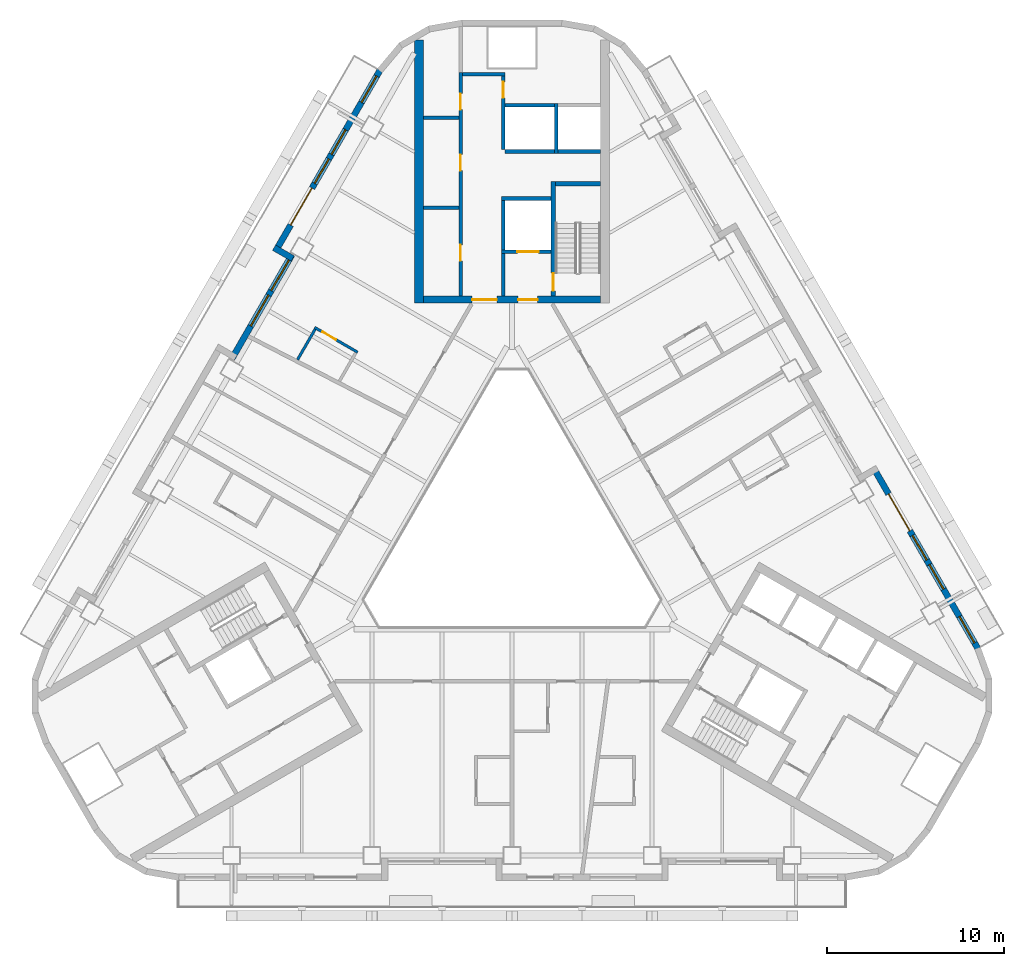
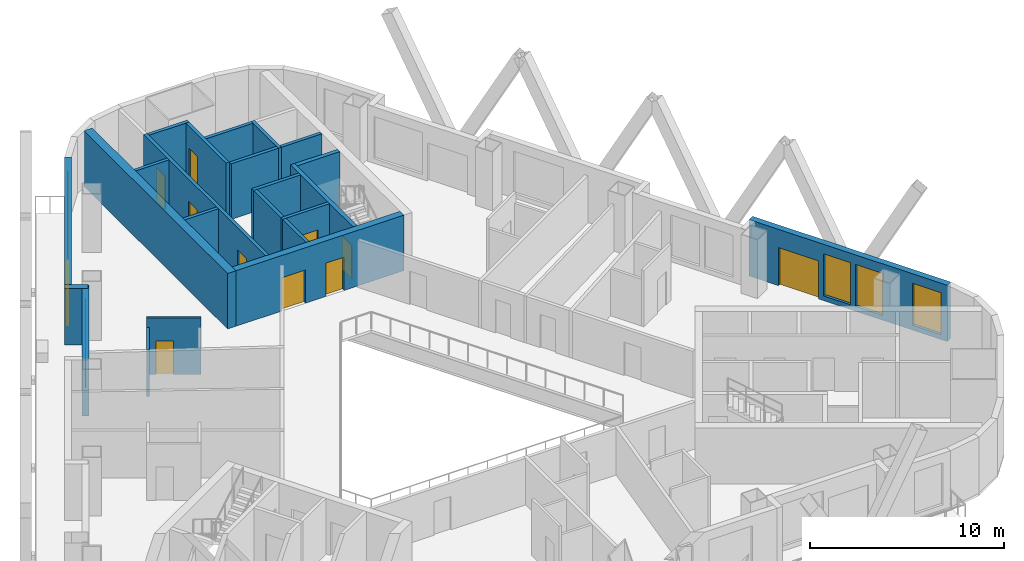
# One storey, part 6 of 13: 23 walls, 11 doors, 8 windows, 19 openings.
"""IFC4 building model written with IfcOpenShell, lengths in metres."""

from ifc_helpers import new_model, si_unit, direction, frame, frame_2d, origin, place, context, subcontext, project, spatial, rectangle, extrude, material, layer, layer_set, type_object, element, fill, save


model = new_model("IFC4")

# Units and contexts
model_context = context("Model", 3, precision=1e-05, world=origin(), true_north=direction((0.0, 1.0)))
body_context = subcontext(model_context, "Body", "Model", "MODEL_VIEW")
ifc_project = project(units=[si_unit("LENGTHUNIT", "METRE"), si_unit("AREAUNIT", "SQUARE_METRE"), si_unit("VOLUMEUNIT", "CUBIC_METRE"), si_unit("PLANEANGLEUNIT", "RADIAN"), si_unit("MASSUNIT", "GRAM", prefix="KILO")], contexts=[model_context])

# Site, building, storey
site_placement = place(None, origin())
site = spatial("IfcSite", under=ifc_project, at=site_placement, CompositionType="ELEMENT")
building_placement = place(site_placement, origin())
building = spatial("IfcBuilding", under=site, at=building_placement, Name="Apuvela Tower Hotel", CompositionType="ELEMENT")
storey_placement = place(building_placement, frame((0.0, 0.0, 68.699951171875)))
storey = spatial("IfcBuildingStorey", under=building, at=storey_placement, Name="L14", CompositionType="ELEMENT", Elevation=68.699951171875)

# Wall, openings, doors
ifc_material_1 = material(Name="Concrete C50/60", Category="concrete")
ifc_layer_1 = layer(ifc_material_1, 0.39990234375)
ifc_layer_set_1 = layer_set([ifc_layer_1], Name="COR-WALL-CORE-400")
wall_type_1 = type_object("IfcWallType", Name="COR-WALL-CORE-400", PredefinedType="SHEAR", material=ifc_layer_set_1)
wall_1_placement = place(storey_placement, frame((5.0, 13.10009765625, 0.0), z_axis=(0.0, 0.0, 1.0), x_axis=(-1.0, 0.0, 0.0)))
wall_1 = element("IfcWall", 1, at=wall_1_placement, inside=storey, type_object=wall_type_1, Name="Core wall N", PredefinedType="SHEAR", context=body_context, shape_type="SweptSolid", body=[
    extrude(rectangle(XDim=10.0, YDim=0.39990234375, at=frame_2d((5.0, 0.0))), origin(), (0.0, 0.0, 1.0), 3.5),
])
opening_1_placement = place(wall_1_placement, frame((3.550048828125, 0.0, 0.0)))
opening_1 = element("IfcOpeningElement", 2, at=opening_1_placement, cuts=wall_1, Name="Opening N-FD", PredefinedType="OPENING", context=body_context, shape_type="SweptSolid", body=[
    extrude(rectangle(XDim=1.10009765625, YDim=2.10009765625, at=frame_2d((0.550048828125, 1.050048828125))), frame((0.0, 0.2099609375, 0.0), z_axis=(0.0, -1.0, 0.0), x_axis=(1.0, 0.0, 0.0)), (0.0, 0.0, 1.0), 0.419921875),
])
opening_2_placement = place(wall_1_placement, frame((5.85009765625, 0.0, 0.0)))
opening_2 = element("IfcOpeningElement", 3, at=opening_2_placement, cuts=wall_1, Name="Opening N-GD", PredefinedType="OPENING", context=body_context, shape_type="SweptSolid", body=[
    extrude(rectangle(XDim=1.39990234375, YDim=2.10009765625, at=frame_2d((0.699951171875, 1.050048828125))), frame((0.0, 0.2099609375, 0.0), z_axis=(0.0, -1.0, 0.0), x_axis=(1.0, 0.0, 0.0)), (0.0, 0.0, 1.0), 0.419921875),
])
ifc_material_2 = material(Name="Steel fire door, powder coated", Category="steel")
door_type_1 = type_object("IfcDoorType", Name="COR-FD-1100", OperationType="NOTDEFINED", PredefinedType="DOOR", material=ifc_material_2)
door_1_placement = place(opening_1_placement, frame((1.10009765625, 0.0, 0.0), z_axis=(0.0, 0.0, 1.0), x_axis=(-1.0, 0.0, 0.0)))
door_1 = element("IfcDoor", 4, at=door_1_placement, inside=storey, type_object=door_type_1, Name="Firefighting lobby door N-FD", OperationType="SINGLE_SWING_LEFT", OverallHeight=2.10009765625, OverallWidth=1.10009765625, PredefinedType="DOOR", context=body_context, shape_type="SweptSolid", body=[
    extrude(rectangle(XDim=1.10009765625, YDim=2.10009765625, at=frame_2d((0.550048828125, 1.050048828125))), frame((0.0, 0.02490234375, 0.0), z_axis=(0.0, -1.0, 0.0), x_axis=(1.0, 0.0, 0.0)), (0.0, 0.0, 1.0), 0.050048828125),
])
fill(opening_1, door_1)
ifc_material_3 = material(Name="Glazed steel fire door", Category="steel")
door_type_2 = type_object("IfcDoorType", Name="COR-GD-1400", OperationType="DOUBLE_DOOR_SINGLE_SWING", PredefinedType="DOOR", material=ifc_material_3)
door_2_placement = place(opening_2_placement, frame((1.39990234375, 0.0, 0.0), z_axis=(0.0, 0.0, 1.0), x_axis=(-1.0, 0.0, 0.0)))
door_2 = element("IfcDoor", 5, at=door_2_placement, inside=storey, type_object=door_type_2, Name="Lift lobby door N-GD", OperationType="DOUBLE_DOOR_SINGLE_SWING", OverallHeight=2.10009765625, OverallWidth=1.39990234375, PredefinedType="DOOR", context=body_context, shape_type="SweptSolid", body=[
    extrude(rectangle(XDim=1.39990234375, YDim=2.10009765625, at=frame_2d((0.699951171875, 1.050048828125))), frame((0.0, 0.02490234375, 0.0), z_axis=(0.0, -1.0, 0.0), x_axis=(1.0, 0.0, 0.0)), (0.0, 0.0, 1.0), 0.050048828125),
])
fill(opening_2, door_2)

# Walls
ifc_layer_2 = layer(ifc_material_1, 0.5)
ifc_layer_set_2 = layer_set([ifc_layer_2], Name="COR-WALL-CORE-500")
wall_type_2 = type_object("IfcWallType", Name="COR-WALL-CORE-500", PredefinedType="SHEAR", material=ifc_layer_set_2)
wall_2_placement = place(storey_placement, frame((-5.25, 12.89990234375, 0.0), z_axis=(0.0, 0.0, 1.0), x_axis=(0.0, 1.0, 0.0)))
element("IfcWall", 6, at=wall_2_placement, inside=storey, type_object=wall_type_2, Name="Core wall N", PredefinedType="SHEAR", context=body_context, shape_type="SweptSolid", body=[
    extrude(rectangle(XDim=14.8369140625, YDim=0.5, at=frame_2d((7.41845703125, 0.0))), origin(), (0.0, 0.0, 1.0), 3.5),
])
ifc_material_4 = material(Name="Blockwork 200 mm plastered", Category="masonry")
ifc_layer_3 = layer(ifc_material_4, 0.199951171875)
ifc_layer_set_3 = layer_set([ifc_layer_3], Name="COR-WALL-PART-200")
wall_type_3 = type_object("IfcWallType", Name="COR-WALL-PART-200", PredefinedType="PARTITIONING", material=ifc_layer_set_3)
wall_3_placement = place(storey_placement, frame((5.0, 21.449951171875, 0.0), z_axis=(0.0, 0.0, 1.0), x_axis=(-1.0, 0.0, 0.0)))
element("IfcWall", 7, at=wall_3_placement, inside=storey, type_object=wall_type_3, Name="Partition N", PredefinedType="PARTITIONING", context=body_context, shape_type="SweptSolid", body=[
    extrude(rectangle(XDim=2.39990234375, YDim=0.199951171875, at=frame_2d((1.199951171875, 0.0))), origin(), (0.0, 0.0, 1.0), 3.5),
])
wall_4_placement = place(storey_placement, frame((2.39990234375, 21.449951171875, 0.0), z_axis=(0.0, 0.0, 1.0), x_axis=(-1.0, 0.0, 0.0)))
element("IfcWall", 8, at=wall_4_placement, inside=storey, type_object=wall_type_3, Name="Partition N", PredefinedType="PARTITIONING", context=body_context, shape_type="SweptSolid", body=[
    extrude(rectangle(XDim=2.7998046875, YDim=0.199951171875, at=frame_2d((1.39990234375, 0.0))), origin(), (0.0, 0.0, 1.0), 3.5),
])
ifc_layer_4 = layer(ifc_material_1, 0.199951171875)
ifc_layer_set_4 = layer_set([ifc_layer_4], Name="COR-WALL-SHAFT-200")
wall_type_4 = type_object("IfcWallType", Name="COR-WALL-SHAFT-200", PredefinedType="SHEAR", material=ifc_layer_set_4)
wall_5_placement = place(storey_placement, frame((2.199951171875, 18.800048828125, 0.0), z_axis=(0.0, 0.0, 1.0), x_axis=(-1.0, 0.0, 0.0)))
element("IfcWall", 9, at=wall_5_placement, inside=storey, type_object=wall_type_4, Name="Shaft wall N", PredefinedType="SHEAR", context=body_context, shape_type="SweptSolid", body=[
    extrude(rectangle(XDim=2.800048828125, YDim=0.199951171875, at=frame_2d((1.39990234375, 0.0))), origin(), (0.0, 0.0, 1.0), 3.5),
])

# Wall, opening, door
wall_6_placement = place(storey_placement, frame((2.199951171875, 15.800048828125, 0.0), z_axis=(0.0, 0.0, 1.0), x_axis=(-1.0, 0.0, 0.0)))
wall_6 = element("IfcWall", 10, at=wall_6_placement, inside=storey, type_object=wall_type_4, Name="Shaft wall N", PredefinedType="SHEAR", context=body_context, shape_type="SweptSolid", body=[
    extrude(rectangle(XDim=2.800048828125, YDim=0.199951171875, at=frame_2d((1.39990234375, 0.0))), origin(), (0.0, 0.0, 1.0), 3.5),
])
opening_3_placement = place(wall_6_placement, frame((0.699951171875, 0.0, 0.0)))
opening_3 = element("IfcOpeningElement", 11, at=opening_3_placement, cuts=wall_6, Name="Opening N-LD-FS1", PredefinedType="OPENING", context=body_context, shape_type="SweptSolid", body=[
    extrude(rectangle(XDim=1.199951171875, YDim=2.10009765625, at=frame_2d((0.60009765625, 1.050048828125))), frame((0.0, 0.10986328125, 0.0), z_axis=(0.0, -1.0, 0.0), x_axis=(1.0, 0.0, 0.0)), (0.0, 0.0, 1.0), 0.219970703125),
])
ifc_material_5 = material(Name="Stainless steel lift landing door", Category="steel")
door_type_3 = type_object("IfcDoorType", Name="COR-LD-1200", OperationType="DOUBLE_DOOR_SLIDING", PredefinedType="DOOR", material=ifc_material_5)
door_3_placement = place(opening_3_placement, origin())
door_3 = element("IfcDoor", 12, at=door_3_placement, inside=storey, type_object=door_type_3, Name="Lift landing door N-LD-FS1", OperationType="DOUBLE_DOOR_SLIDING", OverallHeight=2.10009765625, OverallWidth=1.199951171875, PredefinedType="DOOR", context=body_context, shape_type="SweptSolid", body=[
    extrude(rectangle(XDim=1.199951171875, YDim=2.10009765625, at=frame_2d((0.60009765625, 1.050048828125))), frame((0.0, 0.02490234375, 0.0), z_axis=(0.0, -1.0, 0.0), x_axis=(1.0, 0.0, 0.0)), (0.0, 0.0, 1.0), 0.050048828125),
])
fill(opening_3, door_3)

# Walls
wall_7_placement = place(storey_placement, frame((-0.5, 15.89990234375, 0.0), z_axis=(0.0, 0.0, 1.0), x_axis=(0.0, 1.0, 0.0)))
element("IfcWall", 13, at=wall_7_placement, inside=storey, type_object=wall_type_4, Name="Shaft wall N", PredefinedType="SHEAR", context=body_context, shape_type="SweptSolid", body=[
    extrude(rectangle(XDim=2.800048828125, YDim=0.199951171875, at=frame_2d((1.39990234375, 0.0))), origin(), (0.0, 0.0, 1.0), 3.5),
])
wall_8_placement = place(storey_placement, frame((-0.5, 13.300048828125, 0.0), z_axis=(0.0, 0.0, 1.0), x_axis=(0.0, 1.0, 0.0)))
element("IfcWall", 14, at=wall_8_placement, inside=storey, type_object=wall_type_4, Name="Shaft wall N", PredefinedType="SHEAR", context=body_context, shape_type="SweptSolid", body=[
    extrude(rectangle(XDim=2.39990234375, YDim=0.199951171875, at=frame_2d((1.199951171875, 0.0))), origin(), (0.0, 0.0, 1.0), 3.5),
])

# Wall, openings, doors
wall_9_placement = place(storey_placement, frame((-2.89990234375, 13.300048828125, 0.0), z_axis=(0.0, 0.0, 1.0), x_axis=(0.0, 1.0, 0.0)))
wall_9 = element("IfcWall", 15, at=wall_9_placement, inside=storey, type_object=wall_type_4, Name="Shaft wall N", PredefinedType="SHEAR", context=body_context, shape_type="SweptSolid", body=[
    extrude(rectangle(XDim=12.599853515625, YDim=0.199951171875, at=frame_2d((6.2998046875, 0.0))), origin(), (0.0, 0.0, 1.0), 3.5),
])
opening_4_placement = place(wall_9_placement, frame((1.989990234375, 0.0, 0.0)))
opening_4 = element("IfcOpeningElement", 16, at=opening_4_placement, cuts=wall_9, Name="Opening N-RE1", PredefinedType="OPENING", context=body_context, shape_type="SweptSolid", body=[
    extrude(rectangle(XDim=0.89990234375, YDim=2.10009765625, at=frame_2d((0.449951171875, 1.050048828125))), frame((0.0, 0.10986328125, 0.0), z_axis=(0.0, -1.0, 0.0), x_axis=(1.0, 0.0, 0.0)), (0.0, 0.0, 1.0), 0.219970703125),
])
opening_5_placement = place(wall_9_placement, frame((7.070068359375, 0.0, 0.0)))
opening_5 = element("IfcOpeningElement", 17, at=opening_5_placement, cuts=wall_9, Name="Opening N-RE3", PredefinedType="OPENING", context=body_context, shape_type="SweptSolid", body=[
    extrude(rectangle(XDim=0.89990234375, YDim=2.10009765625, at=frame_2d((0.449951171875, 1.050048828125))), frame((0.0, 0.10986328125, 0.0), z_axis=(0.0, -1.0, 0.0), x_axis=(1.0, 0.0, 0.0)), (0.0, 0.0, 1.0), 0.219970703125),
])
opening_6_placement = place(wall_9_placement, frame((10.510009765625, 0.0, 0.0)))
opening_6 = element("IfcOpeningElement", 18, at=opening_6_placement, cuts=wall_9, Name="Opening N-REP", PredefinedType="OPENING", context=body_context, shape_type="SweptSolid", body=[
    extrude(rectangle(XDim=0.89990234375, YDim=2.10009765625, at=frame_2d((0.449951171875, 1.050048828125))), frame((0.0, 0.10986328125, 0.0), z_axis=(0.0, -1.0, 0.0), x_axis=(1.0, 0.0, 0.0)), (0.0, 0.0, 1.0), 0.219970703125),
])
door_type_4 = type_object("IfcDoorType", Name="COR-DR-900", OperationType="NOTDEFINED", PredefinedType="DOOR", material=ifc_material_2)
door_4_placement = place(opening_4_placement, origin())
door_4 = element("IfcDoor", 19, at=door_4_placement, inside=storey, type_object=door_type_4, Name="Store door N-RE1", OperationType="SINGLE_SWING_LEFT", OverallHeight=2.10009765625, OverallWidth=0.89990234375, PredefinedType="DOOR", context=body_context, shape_type="SweptSolid", body=[
    extrude(rectangle(XDim=0.89990234375, YDim=2.10009765625, at=frame_2d((0.449951171875, 1.050048828125))), frame((0.0, 0.02490234375, 0.0), z_axis=(0.0, -1.0, 0.0), x_axis=(1.0, 0.0, 0.0)), (0.0, 0.0, 1.0), 0.050048828125),
])
fill(opening_4, door_4)
door_5_placement = place(opening_5_placement, origin())
door_5 = element("IfcDoor", 20, at=door_5_placement, inside=storey, type_object=door_type_4, Name="Store door N-RE3", OperationType="SINGLE_SWING_LEFT", OverallHeight=2.10009765625, OverallWidth=0.89990234375, PredefinedType="DOOR", context=body_context, shape_type="SweptSolid", body=[
    extrude(rectangle(XDim=0.89990234375, YDim=2.10009765625, at=frame_2d((0.449951171875, 1.050048828125))), frame((0.0, 0.02490234375, 0.0), z_axis=(0.0, -1.0, 0.0), x_axis=(1.0, 0.0, 0.0)), (0.0, 0.0, 1.0), 0.050048828125),
])
fill(opening_5, door_5)
door_6_placement = place(opening_6_placement, origin())
door_6 = element("IfcDoor", 21, at=door_6_placement, inside=storey, type_object=door_type_4, Name="Store door N-REP", OperationType="SINGLE_SWING_RIGHT", OverallHeight=2.10009765625, OverallWidth=0.89990234375, PredefinedType="DOOR", context=body_context, shape_type="SweptSolid", body=[
    extrude(rectangle(XDim=0.89990234375, YDim=2.10009765625, at=frame_2d((0.449951171875, 1.050048828125))), frame((0.0, 0.02490234375, 0.0), z_axis=(0.0, -1.0, 0.0), x_axis=(1.0, 0.0, 0.0)), (0.0, 0.0, 1.0), 0.050048828125),
])
fill(opening_6, door_6)

# Wall
wall_10_placement = place(storey_placement, frame((-0.39990234375, 25.800048828125, 0.0), z_axis=(0.0, 0.0, 1.0), x_axis=(-1.0, 0.0, 0.0)))
element("IfcWall", 22, at=wall_10_placement, inside=storey, type_object=wall_type_4, Name="Shaft wall N", PredefinedType="SHEAR", context=body_context, shape_type="SweptSolid", body=[
    extrude(rectangle(XDim=2.400146484375, YDim=0.199951171875, at=frame_2d((1.2001953125, 0.0))), origin(), (0.0, 0.0, 1.0), 3.5),
])

# Wall, opening, door
wall_11_placement = place(storey_placement, frame((-0.5, 21.550048828125, 0.0), z_axis=(0.0, 0.0, 1.0), x_axis=(0.0, 1.0, 0.0)))
wall_11 = element("IfcWall", 23, at=wall_11_placement, inside=storey, type_object=wall_type_4, Name="Shaft wall N", PredefinedType="SHEAR", context=body_context, shape_type="SweptSolid", body=[
    extrude(rectangle(XDim=4.14990234375, YDim=0.199951171875, at=frame_2d((2.074951171875, 0.0))), origin(), (0.0, 0.0, 1.0), 3.5),
])
opening_7_placement = place(wall_11_placement, frame((2.925048828125, 0.0, 0.0)))
opening_7 = element("IfcOpeningElement", 24, at=opening_7_placement, cuts=wall_11, Name="Opening N-RSP", PredefinedType="OPENING", context=body_context, shape_type="SweptSolid", body=[
    extrude(rectangle(XDim=0.89990234375, YDim=2.10009765625, at=frame_2d((0.449951171875, 1.050048828125))), frame((0.0, 0.10986328125, 0.0), z_axis=(0.0, -1.0, 0.0), x_axis=(1.0, 0.0, 0.0)), (0.0, 0.0, 1.0), 0.219970703125),
])
door_7_placement = place(opening_7_placement, frame((0.89990234375, 0.0, 0.0), z_axis=(0.0, 0.0, 1.0), x_axis=(-1.0, 0.0, 0.0)))
door_7 = element("IfcDoor", 25, at=door_7_placement, inside=storey, type_object=door_type_4, Name="Store door N-RSP", OperationType="SINGLE_SWING_LEFT", OverallHeight=2.10009765625, OverallWidth=0.89990234375, PredefinedType="DOOR", context=body_context, shape_type="SweptSolid", body=[
    extrude(rectangle(XDim=0.89990234375, YDim=2.10009765625, at=frame_2d((0.449951171875, 1.050048828125))), frame((0.0, 0.02490234375, 0.0), z_axis=(0.0, -1.0, 0.0), x_axis=(1.0, 0.0, 0.0)), (0.0, 0.0, 1.0), 0.050048828125),
])
fill(opening_7, door_7)

# Walls
for number, where, z_axis, x_axis, name in (
    (26, (-3.0, 18.280029296875, 0.0), (0.0, 0.0, 1.0), (-1.0, 0.0, 0.0), "Shaft wall N"),
    (27, (-3.0, 23.360107421875, 0.0), (0.0, 0.0, 1.0), (-1.0, 0.0, 0.0), "Shaft wall N"),
):
    element("IfcWall", number, at=place(storey_placement, frame(where, z_axis=z_axis, x_axis=x_axis)), inside=storey, type_object=wall_type_4, Name=name, PredefinedType="SHEAR", context=body_context, shape_type="SweptSolid", body=[
        extrude(rectangle(XDim=2.0, YDim=0.199951171875, at=frame_2d((1.0, 0.0))), origin(), (0.0, 0.0, 1.0), 3.5),
    ])
for number, where, z_axis, x_axis, name in (
    (28, (2.5, 21.35009765625, 0.0), (0.0, 0.0, 1.0), (0.0, 1.0, 0.0), "Shaft wall N"),
    (29, (2.39990234375, 24.050048828125, 0.0), (0.0, 0.0, 1.0), (-1.0, 0.0, 0.0), "Shaft wall N"),
):
    element("IfcWall", number, at=place(storey_placement, frame(where, z_axis=z_axis, x_axis=x_axis)), inside=storey, type_object=wall_type_4, Name=name, PredefinedType="SHEAR", context=body_context, shape_type="SweptSolid", body=[
        extrude(rectangle(XDim=2.7998046875, YDim=0.199951171875, at=frame_2d((1.39990234375, 0.0))), origin(), (0.0, 0.0, 1.0), 3.5),
    ])

# Wall, opening, door
ifc_layer_5 = layer(ifc_material_1, 0.25)
ifc_layer_set_5 = layer_set([ifc_layer_5], Name="COR-WALL-STAIR-250")
wall_type_5 = type_object("IfcWallType", Name="COR-WALL-STAIR-250", PredefinedType="SHEAR", material=ifc_layer_set_5)
wall_12_placement = place(storey_placement, frame((2.324951171875, 13.300048828125, 0.0), z_axis=(0.0, 0.0, 1.0), x_axis=(0.0, 1.0, 0.0)))
wall_12 = element("IfcWall", 30, at=wall_12_placement, inside=storey, type_object=wall_type_5, Name="Stair wall N", PredefinedType="SHEAR", context=body_context, shape_type="SweptSolid", body=[
    extrude(rectangle(XDim=6.449951171875, YDim=0.25, at=frame_2d((3.22509765625, 0.0))), origin(), (0.0, 0.0, 1.0), 3.5),
])
opening_8_placement = place(wall_12_placement, frame((0.300048828125, 0.0, 0.0)))
opening_8 = element("IfcOpeningElement", 31, at=opening_8_placement, cuts=wall_12, Name="Opening N-SD", PredefinedType="OPENING", context=body_context, shape_type="SweptSolid", body=[
    extrude(rectangle(XDim=1.0, YDim=2.10009765625, at=frame_2d((0.5, 1.050048828125))), frame((0.0, 0.135009765625, 0.0), z_axis=(0.0, -1.0, 0.0), x_axis=(1.0, 0.0, 0.0)), (0.0, 0.0, 1.0), 0.27001953125),
])
door_type_5 = type_object("IfcDoorType", Name="COR-SD-1000", OperationType="NOTDEFINED", PredefinedType="DOOR", material=ifc_material_2)
door_8_placement = place(opening_8_placement, frame((1.0, 0.0, 0.0), z_axis=(0.0, 0.0, 1.0), x_axis=(-1.0, 0.0, 0.0)))
door_8 = element("IfcDoor", 32, at=door_8_placement, inside=storey, type_object=door_type_5, Name="Stair door N-SD", OperationType="SINGLE_SWING_LEFT", OverallHeight=2.10009765625, OverallWidth=1.0, PredefinedType="DOOR", context=body_context, shape_type="SweptSolid", body=[
    extrude(rectangle(XDim=1.0, YDim=2.10009765625, at=frame_2d((0.5, 1.050048828125))), frame((0.0, 0.02490234375, 0.0), z_axis=(0.0, -1.0, 0.0), x_axis=(1.0, 0.0, 0.0)), (0.0, 0.0, 1.0), 0.050048828125),
])
fill(opening_8, door_8)

# Wall
wall_13_placement = place(storey_placement, frame((5.0, 19.625, 0.0), z_axis=(0.0, 0.0, 1.0), x_axis=(-1.0, 0.0, 0.0)))
element("IfcWall", 33, at=wall_13_placement, inside=storey, type_object=wall_type_5, Name="Stair wall N", PredefinedType="SHEAR", context=body_context, shape_type="SweptSolid", body=[
    extrude(rectangle(XDim=2.550048828125, YDim=0.25, at=frame_2d((1.27490234375, 0.0))), origin(), (0.0, 0.0, 1.0), 3.5),
])

# Wall, openings, door, windows
ifc_material_6 = material(Name="Concrete C40/50, dark pigmented precast panel", Category="concrete")
ifc_layer_6 = layer(ifc_material_6, 0.35009765625)
ifc_layer_set_6 = layer_set([ifc_layer_6], Name="ENV-WALL-350")
wall_type_6 = type_object("IfcWallType", Name="ENV-WALL-350", PredefinedType="SOLIDWALL", material=ifc_layer_set_6)
wall_14_placement = place(storey_placement, frame((-7.440673828125, 26.0224609375, 0.0), z_axis=(0.0, 0.0, 1.0), x_axis=(-0.499992533062, -0.86602971478, 0.0)))
wall_14 = element("IfcWall", 34, at=wall_14_placement, inside=storey, type_object=wall_type_6, Name="External wall L14-01", PredefinedType="SOLIDWALL", context=body_context, shape_type="SweptSolid", body=[
    extrude(rectangle(XDim=11.815673828125, YDim=0.35009765625, at=frame_2d((5.90771484375, 0.0))), origin(), (0.0, 0.0, 1.0), 3.550048828125),
])
opening_9_placement = place(wall_14_placement, frame((0.381103515625, 0.0, 0.300048828125)))
opening_9 = element("IfcOpeningElement", 35, at=opening_9_placement, cuts=wall_14, Name="Opening WN17", PredefinedType="OPENING", context=body_context, shape_type="SweptSolid", body=[
    extrude(rectangle(XDim=1.699951171875, YDim=2.64990234375, at=frame_2d((0.85009765625, 1.324951171875))), frame((0.0, 0.18505859375, 0.0), z_axis=(0.0, -1.0, 0.0), x_axis=(1.0, 0.0, 0.0)), (0.0, 0.0, 1.0), 0.3701171875),
])
opening_10_placement = place(wall_14_placement, frame((7.66552734375, 0.0, 0.0)))
opening_10 = element("IfcOpeningElement", 36, at=opening_10_placement, cuts=wall_14, Name="Opening BD24", PredefinedType="OPENING", context=body_context, shape_type="SweptSolid", body=[
    extrude(rectangle(XDim=2.39990234375, YDim=2.39990234375, at=frame_2d((1.199951171875, 1.199951171875))), frame((0.0, 0.18505859375, 0.0), z_axis=(0.0, -1.0, 0.0), x_axis=(1.0, 0.0, 0.0)), (0.0, 0.0, 1.0), 0.3701171875),
])
opening_11_placement = place(wall_14_placement, frame((3.865478515625, 0.0, 0.300048828125)))
opening_11 = element("IfcOpeningElement", 37, at=opening_11_placement, cuts=wall_14, Name="Opening WN16", PredefinedType="OPENING", context=body_context, shape_type="SweptSolid", body=[
    extrude(rectangle(XDim=1.60009765625, YDim=2.64990234375, at=frame_2d((0.800048828125, 1.324951171875))), frame((0.0, 0.18505859375, 0.0), z_axis=(0.0, -1.0, 0.0), x_axis=(1.0, 0.0, 0.0)), (0.0, 0.0, 1.0), 0.3701171875),
])
opening_12_placement = place(wall_14_placement, frame((5.765380859375, 0.0, 0.300048828125)))
opening_12 = element("IfcOpeningElement", 38, at=opening_12_placement, cuts=wall_14, Name="Opening WN16", PredefinedType="OPENING", context=body_context, shape_type="SweptSolid", body=[
    extrude(rectangle(XDim=1.60009765625, YDim=2.64990234375, at=frame_2d((0.800048828125, 1.324951171875))), frame((0.0, 0.18505859375, 0.0), z_axis=(0.0, -1.0, 0.0), x_axis=(1.0, 0.0, 0.0)), (0.0, 0.0, 1.0), 0.3701171875),
])
ifc_material_7 = material(Name="Aluminium 6063-T6, dark bronze anodised frame with dark tinted laminated glass", Category="aluminium")
door_type_6 = type_object("IfcDoorType", Name="ENV-DOOR-BALCONY-2400x2400", OperationType="SLIDING_TO_LEFT", PredefinedType="DOOR", material=ifc_material_7)
door_9_placement = place(opening_10_placement, frame((2.39990234375, 0.0, 0.0), z_axis=(0.0, 0.0, 1.0), x_axis=(-1.0, 0.0, 0.0)))
door_9 = element("IfcDoor", 39, at=door_9_placement, inside=storey, type_object=door_type_6, Name="Balcony door BD24", OperationType="SLIDING_TO_LEFT", OverallHeight=2.39990234375, OverallWidth=2.39990234375, PredefinedType="DOOR", context=body_context, shape_type="SweptSolid", body=[
    extrude(rectangle(XDim=2.39990234375, YDim=2.39990234375, at=frame_2d((1.199951171875, 1.199951171875))), frame((0.0, 0.02490234375, 0.0), z_axis=(0.0, -1.0, 0.0), x_axis=(1.0, 0.0, 0.0)), (0.0, 0.0, 1.0), 0.050048828125),
])
fill(opening_10, door_9)
ifc_material_8 = material(Name="Glass, dark tinted laminated insulated glazing unit", Category="glass")
window_type_1 = type_object("IfcWindowType", Name="ENV-WIN-1600x2650", PartitioningType="SINGLE_PANEL", PredefinedType="WINDOW", material=ifc_material_8)
window_1_placement = place(opening_11_placement, origin())
window_1 = element("IfcWindow", 40, at=window_1_placement, inside=storey, type_object=window_type_1, Name="Window WN16", OverallHeight=2.64990234375, OverallWidth=1.60009765625, PartitioningType="SINGLE_PANEL", PredefinedType="WINDOW", context=body_context, shape_type="SweptSolid", body=[
    extrude(rectangle(XDim=1.60009765625, YDim=2.64990234375, at=frame_2d((0.800048828125, 1.324951171875))), frame((0.0, 0.030029296875, 0.0), z_axis=(0.0, -1.0, 0.0), x_axis=(1.0, 0.0, 0.0)), (0.0, 0.0, 1.0), 0.06005859375),
])
fill(opening_11, window_1)
window_2_placement = place(opening_12_placement, origin())
window_2 = element("IfcWindow", 41, at=window_2_placement, inside=storey, type_object=window_type_1, Name="Window WN16", OverallHeight=2.64990234375, OverallWidth=1.60009765625, PartitioningType="SINGLE_PANEL", PredefinedType="WINDOW", context=body_context, shape_type="SweptSolid", body=[
    extrude(rectangle(XDim=1.60009765625, YDim=2.64990234375, at=frame_2d((0.800048828125, 1.324951171875))), frame((0.0, 0.030029296875, 0.0), z_axis=(0.0, -1.0, 0.0), x_axis=(1.0, 0.0, 0.0)), (0.0, 0.0, 1.0), 0.06005859375),
])
fill(opening_12, window_2)
window_type_2 = type_object("IfcWindowType", Name="ENV-WIN-1700x2650", PartitioningType="SINGLE_PANEL", PredefinedType="WINDOW", material=ifc_material_8)
window_3_placement = place(opening_9_placement, origin())
window_3 = element("IfcWindow", 42, at=window_3_placement, inside=storey, type_object=window_type_2, Name="Window WN17", OverallHeight=2.64990234375, OverallWidth=1.699951171875, PartitioningType="SINGLE_PANEL", PredefinedType="WINDOW", context=body_context, shape_type="SweptSolid", body=[
    extrude(rectangle(XDim=1.699951171875, YDim=2.64990234375, at=frame_2d((0.85009765625, 1.324951171875))), frame((0.0, 0.030029296875, 0.0), z_axis=(0.0, -1.0, 0.0), x_axis=(1.0, 0.0, 0.0)), (0.0, 0.0, 1.0), 0.06005859375),
])
fill(opening_9, window_3)

# Wall
wall_15_placement = place(storey_placement, frame((-13.41259765625, 16.02880859375, 0.0), z_axis=(0.0, 0.0, 1.0), x_axis=(0.866005645448, -0.500034220881, 0.0)))
element("IfcWall", 43, at=wall_15_placement, inside=storey, type_object=wall_type_6, Name="External wall L14-02", PredefinedType="SOLIDWALL", context=body_context, shape_type="SweptSolid", body=[
    extrude(rectangle(XDim=1.22021484375, YDim=0.35009765625, at=frame_2d((0.610107421875, 0.0))), origin(), (0.0, 0.0, 1.0), 3.550048828125),
])

# Wall, openings, windows
wall_16_placement = place(storey_placement, frame((-12.408935546875, 15.616943359375, 0.0), z_axis=(0.0, 0.0, 1.0), x_axis=(-0.500003597184, -0.866023326939, 0.0)))
wall_16 = element("IfcWall", 44, at=wall_16_placement, inside=storey, type_object=wall_type_6, Name="External wall L14-03", PredefinedType="SOLIDWALL", context=body_context, shape_type="SweptSolid", body=[
    extrude(rectangle(XDim=6.740234375, YDim=0.35009765625, at=frame_2d((3.3701171875, 0.0))), origin(), (0.0, 0.0, 1.0), 3.550048828125),
])
opening_13_placement = place(wall_16_placement, frame((0.3203125, 0.0, 0.300048828125)))
opening_13 = element("IfcOpeningElement", 45, at=opening_13_placement, cuts=wall_16, Name="Opening WN20", PredefinedType="OPENING", context=body_context, shape_type="SweptSolid", body=[
    extrude(rectangle(XDim=2.0, YDim=2.64990234375, at=frame_2d((1.0, 1.324951171875))), frame((0.0, 0.18505859375, 0.0), z_axis=(0.0, -1.0, 0.0), x_axis=(1.0, 0.0, 0.0)), (0.0, 0.0, 1.0), 0.3701171875),
])
opening_14_placement = place(wall_16_placement, frame((2.6201171875, 0.0, 0.300048828125)))
opening_14 = element("IfcOpeningElement", 46, at=opening_14_placement, cuts=wall_16, Name="Opening WN20", PredefinedType="OPENING", context=body_context, shape_type="SweptSolid", body=[
    extrude(rectangle(XDim=2.0, YDim=2.64990234375, at=frame_2d((1.0, 1.324951171875))), frame((0.0, 0.18505859375, 0.0), z_axis=(0.0, -1.0, 0.0), x_axis=(1.0, 0.0, 0.0)), (0.0, 0.0, 1.0), 0.3701171875),
])
window_type_3 = type_object("IfcWindowType", Name="ENV-WIN-2000x2650", PartitioningType="SINGLE_PANEL", PredefinedType="WINDOW", material=ifc_material_8)
window_4_placement = place(opening_13_placement, origin())
window_4 = element("IfcWindow", 47, at=window_4_placement, inside=storey, type_object=window_type_3, Name="Window WN20", OverallHeight=2.64990234375, OverallWidth=2.0, PartitioningType="SINGLE_PANEL", PredefinedType="WINDOW", context=body_context, shape_type="SweptSolid", body=[
    extrude(rectangle(XDim=2.0, YDim=2.64990234375, at=frame_2d((1.0, 1.324951171875))), frame((0.0, 0.030029296875, 0.0), z_axis=(0.0, -1.0, 0.0), x_axis=(1.0, 0.0, 0.0)), (0.0, 0.0, 1.0), 0.06005859375),
])
fill(opening_13, window_4)
window_5_placement = place(opening_14_placement, origin())
window_5 = element("IfcWindow", 48, at=window_5_placement, inside=storey, type_object=window_type_3, Name="Window WN20", OverallHeight=2.64990234375, OverallWidth=2.0, PartitioningType="SINGLE_PANEL", PredefinedType="WINDOW", context=body_context, shape_type="SweptSolid", body=[
    extrude(rectangle(XDim=2.0, YDim=2.64990234375, at=frame_2d((1.0, 1.324951171875))), frame((0.0, 0.030029296875, 0.0), z_axis=(0.0, -1.0, 0.0), x_axis=(1.0, 0.0, 0.0)), (0.0, 0.0, 1.0), 0.06005859375),
])
fill(opening_14, window_5)

# Wall, openings, door, windows
wall_17_placement = place(storey_placement, frame((26.256591796875, -6.5673828125, 0.0), z_axis=(0.0, 0.0, 1.0), x_axis=(-0.500023526245, 0.866011820475, 0.0)))
wall_17 = element("IfcWall", 49, at=wall_17_placement, inside=storey, type_object=wall_type_6, Name="External wall L14-33", PredefinedType="SOLIDWALL", context=body_context, shape_type="SweptSolid", body=[
    extrude(rectangle(XDim=11.81591796875, YDim=0.35009765625, at=frame_2d((5.907958984375, 0.0))), origin(), (0.0, 0.0, 1.0), 3.550048828125),
])
opening_15_placement = place(wall_17_placement, frame((0.380126953125, 0.0, 0.300048828125)))
opening_15 = element("IfcOpeningElement", 50, at=opening_15_placement, cuts=wall_17, Name="Opening WN17", PredefinedType="OPENING", context=body_context, shape_type="SweptSolid", body=[
    extrude(rectangle(XDim=1.699951171875, YDim=2.64990234375, at=frame_2d((0.85009765625, 1.324951171875))), frame((0.0, 0.18505859375, 0.0), z_axis=(0.0, -1.0, 0.0), x_axis=(1.0, 0.0, 0.0)), (0.0, 0.0, 1.0), 0.3701171875),
])
opening_16_placement = place(wall_17_placement, frame((7.666015625, 0.0, 0.0)))
opening_16 = element("IfcOpeningElement", 51, at=opening_16_placement, cuts=wall_17, Name="Opening BD24", PredefinedType="OPENING", context=body_context, shape_type="SweptSolid", body=[
    extrude(rectangle(XDim=2.39990234375, YDim=2.39990234375, at=frame_2d((1.199951171875, 1.199951171875))), frame((0.0, 0.18505859375, 0.0), z_axis=(0.0, -1.0, 0.0), x_axis=(1.0, 0.0, 0.0)), (0.0, 0.0, 1.0), 0.3701171875),
])
opening_17_placement = place(wall_17_placement, frame((3.865234375, 0.0, 0.300048828125)))
opening_17 = element("IfcOpeningElement", 52, at=opening_17_placement, cuts=wall_17, Name="Opening WN16", PredefinedType="OPENING", context=body_context, shape_type="SweptSolid", body=[
    extrude(rectangle(XDim=1.60009765625, YDim=2.64990234375, at=frame_2d((0.800048828125, 1.324951171875))), frame((0.0, 0.18505859375, 0.0), z_axis=(0.0, -1.0, 0.0), x_axis=(1.0, 0.0, 0.0)), (0.0, 0.0, 1.0), 0.3701171875),
])
opening_18_placement = place(wall_17_placement, frame((5.765380859375, 0.0, 0.300048828125)))
opening_18 = element("IfcOpeningElement", 53, at=opening_18_placement, cuts=wall_17, Name="Opening WN16", PredefinedType="OPENING", context=body_context, shape_type="SweptSolid", body=[
    extrude(rectangle(XDim=1.60009765625, YDim=2.64990234375, at=frame_2d((0.800048828125, 1.324951171875))), frame((0.0, 0.18505859375, 0.0), z_axis=(0.0, -1.0, 0.0), x_axis=(1.0, 0.0, 0.0)), (0.0, 0.0, 1.0), 0.3701171875),
])
door_10_placement = place(opening_16_placement, frame((2.39990234375, 0.0, 0.0), z_axis=(0.0, 0.0, 1.0), x_axis=(-1.0, 0.0, 0.0)))
door_10 = element("IfcDoor", 54, at=door_10_placement, inside=storey, type_object=door_type_6, Name="Balcony door BD24", OperationType="SLIDING_TO_LEFT", OverallHeight=2.39990234375, OverallWidth=2.39990234375, PredefinedType="DOOR", context=body_context, shape_type="SweptSolid", body=[
    extrude(rectangle(XDim=2.39990234375, YDim=2.39990234375, at=frame_2d((1.199951171875, 1.199951171875))), frame((0.0, 0.02490234375, 0.0), z_axis=(0.0, -1.0, 0.0), x_axis=(1.0, 0.0, 0.0)), (0.0, 0.0, 1.0), 0.050048828125),
])
fill(opening_16, door_10)
window_6_placement = place(opening_17_placement, origin())
window_6 = element("IfcWindow", 55, at=window_6_placement, inside=storey, type_object=window_type_1, Name="Window WN16", OverallHeight=2.64990234375, OverallWidth=1.60009765625, PartitioningType="SINGLE_PANEL", PredefinedType="WINDOW", context=body_context, shape_type="SweptSolid", body=[
    extrude(rectangle(XDim=1.60009765625, YDim=2.64990234375, at=frame_2d((0.800048828125, 1.324951171875))), frame((0.0, 0.030029296875, 0.0), z_axis=(0.0, -1.0, 0.0), x_axis=(1.0, 0.0, 0.0)), (0.0, 0.0, 1.0), 0.06005859375),
])
fill(opening_17, window_6)
window_7_placement = place(opening_18_placement, origin())
window_7 = element("IfcWindow", 56, at=window_7_placement, inside=storey, type_object=window_type_1, Name="Window WN16", OverallHeight=2.64990234375, OverallWidth=1.60009765625, PartitioningType="SINGLE_PANEL", PredefinedType="WINDOW", context=body_context, shape_type="SweptSolid", body=[
    extrude(rectangle(XDim=1.60009765625, YDim=2.64990234375, at=frame_2d((0.800048828125, 1.324951171875))), frame((0.0, 0.030029296875, 0.0), z_axis=(0.0, -1.0, 0.0), x_axis=(1.0, 0.0, 0.0)), (0.0, 0.0, 1.0), 0.06005859375),
])
fill(opening_18, window_7)
window_8_placement = place(opening_15_placement, origin())
window_8 = element("IfcWindow", 57, at=window_8_placement, inside=storey, type_object=window_type_2, Name="Window WN17", OverallHeight=2.64990234375, OverallWidth=1.699951171875, PartitioningType="SINGLE_PANEL", PredefinedType="WINDOW", context=body_context, shape_type="SweptSolid", body=[
    extrude(rectangle(XDim=1.699951171875, YDim=2.64990234375, at=frame_2d((0.85009765625, 1.324951171875))), frame((0.0, 0.030029296875, 0.0), z_axis=(0.0, -1.0, 0.0), x_axis=(1.0, 0.0, 0.0)), (0.0, 0.0, 1.0), 0.06005859375),
])
fill(opening_15, window_8)

# Wall, opening, door
ifc_material_9 = material(Name="Moisture-resistant gypsum board wet wall on steel stud", Category="steel")
ifc_layer_7 = layer(ifc_material_9, 0.14990234375)
ifc_layer_set_7 = layer_set([ifc_layer_7], Name="GST-PW3")
wall_type_7 = type_object("IfcWallType", Name="GST-PW3", PredefinedType="PARTITIONING", material=ifc_layer_set_7)
wall_18_placement = place(storey_placement, frame((-8.6982421875, 10.13427734375, 0.0), z_axis=(0.0, 0.0, 1.0), x_axis=(-0.866034573852, 0.49998411664, 0.0)))
wall_18 = element("IfcWall", 58, at=wall_18_placement, inside=storey, type_object=wall_type_7, Name="L14 partition 30", PredefinedType="PARTITIONING", context=body_context, shape_type="SweptSolid", body=[
    extrude(rectangle(XDim=2.7998046875, YDim=0.14990234375, at=frame_2d((1.39990234375, 0.0))), origin(), (0.0, 0.0, 1.0), 3.550048828125),
])
opening_19_placement = place(wall_18_placement, frame((1.39990234375, 0.0, 0.0)))
opening_19 = element("IfcOpeningElement", 59, at=opening_19_placement, cuts=wall_18, Name="Opening GD03-13", PredefinedType="OPENING", context=body_context, shape_type="SweptSolid", body=[
    extrude(rectangle(XDim=0.89990234375, YDim=2.10009765625, at=frame_2d((0.449951171875, 1.050048828125))), frame((0.0, 0.0849609375, 0.0), z_axis=(0.0, -1.0, 0.0), x_axis=(1.0, 0.0, 0.0)), (0.0, 0.0, 1.0), 0.169921875),
])
ifc_material_10 = material(Name="Timber door leaf in steel frame", Category="steel")
door_type_7 = type_object("IfcDoorType", Name="GST-D2", OperationType="NOTDEFINED", PredefinedType="DOOR", material=ifc_material_10)
door_11_placement = place(opening_19_placement, origin())
door_11 = element("IfcDoor", 60, at=door_11_placement, inside=storey, type_object=door_type_7, Name="Door L14-13", OperationType="SINGLE_SWING_RIGHT", OverallHeight=2.10009765625, OverallWidth=0.89990234375, PredefinedType="DOOR", context=body_context, shape_type="SweptSolid", body=[
    extrude(rectangle(XDim=0.89990234375, YDim=2.10009765625, at=frame_2d((0.449951171875, 1.050048828125))), frame((0.0, 0.02490234375, 0.0), z_axis=(0.0, -1.0, 0.0), x_axis=(1.0, 0.0, 0.0)), (0.0, 0.0, 1.0), 0.050048828125),
])
fill(opening_19, door_11)

# Wall
wall_19_placement = place(storey_placement, frame((-11.095703125, 11.431640625, 0.0), z_axis=(0.0, 0.0, 1.0), x_axis=(-0.500035331196, -0.866005004348, 0.0)))
element("IfcWall", 61, at=wall_19_placement, inside=storey, type_object=wall_type_7, Name="L14 partition 31", PredefinedType="PARTITIONING", context=body_context, shape_type="SweptSolid", body=[
    extrude(rectangle(XDim=1.981201171875, YDim=0.14990234375, at=frame_2d((0.99072265625, 0.0))), origin(), (0.0, 0.0, 1.0), 2.949951171875),
])

save(model, "model.ifc")
